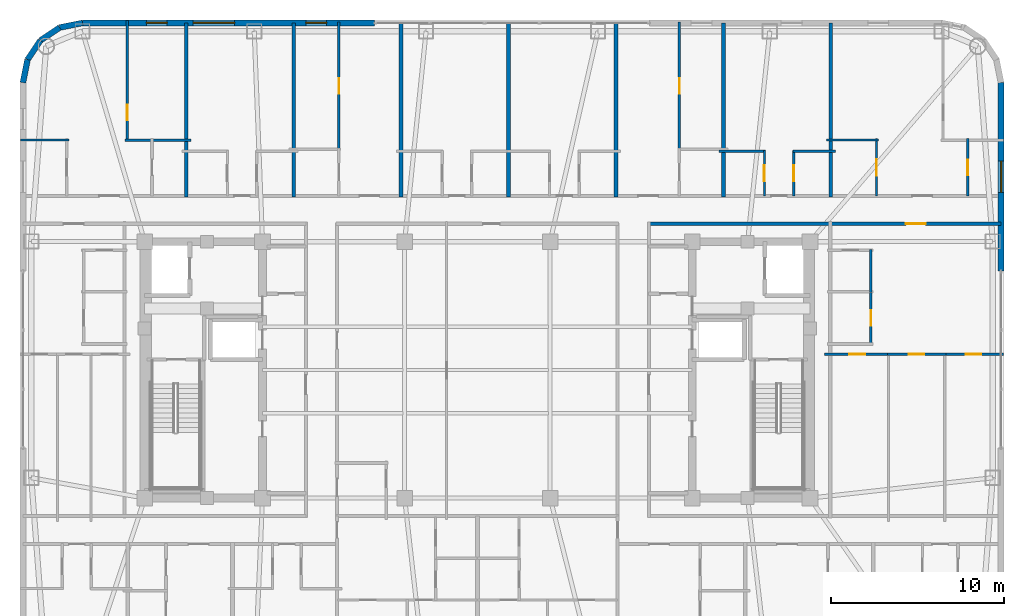
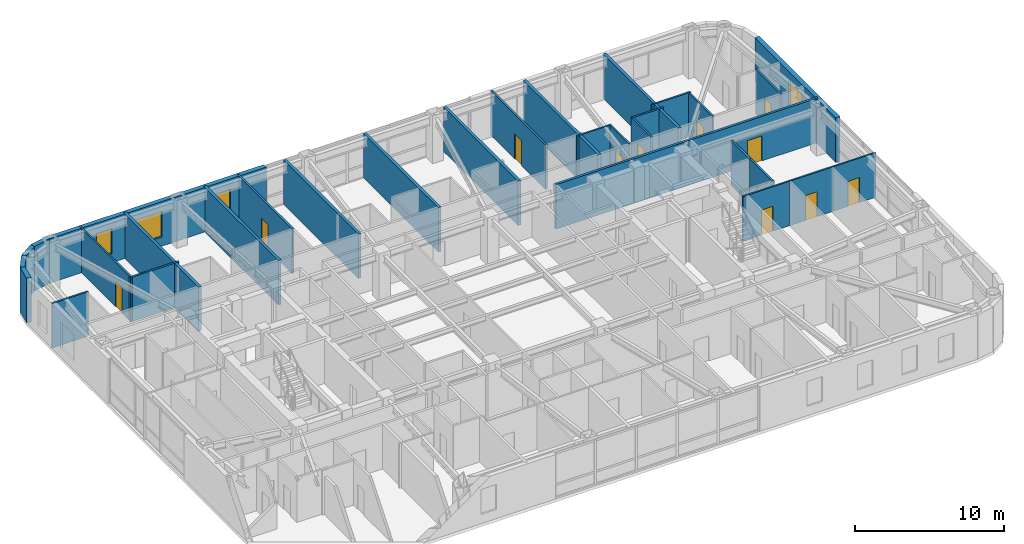
# One storey, part 26 of 29: 31 walls, 12 doors, 4 windows, 16 openings.
"""IFC4 building model written with IfcOpenShell, lengths in metres."""

from ifc_helpers import new_model, si_unit, direction, frame, frame_2d, origin, place, context, subcontext, project, spatial, rectangle, extrude, material, layer, layer_set, type_object, element, fill, save


model = new_model("IFC4")

# Units and contexts
model_context = context("Model", 3, precision=1e-05, world=origin(), true_north=direction((0.0, 1.0)))
body_context = subcontext(model_context, "Body", "Model", "MODEL_VIEW")
ifc_project = project(units=[si_unit("LENGTHUNIT", "METRE"), si_unit("AREAUNIT", "SQUARE_METRE"), si_unit("VOLUMEUNIT", "CUBIC_METRE"), si_unit("PLANEANGLEUNIT", "RADIAN"), si_unit("MASSUNIT", "GRAM", prefix="KILO")], contexts=[model_context])

# Site, building, storey
site_placement = place(None, origin())
site = spatial("IfcSite", under=ifc_project, at=site_placement, CompositionType="ELEMENT")
building_placement = place(site_placement, origin())
building = spatial("IfcBuilding", under=site, at=building_placement, Name="Voryun Gate Residences", CompositionType="ELEMENT")
storey_placement = place(building_placement, frame((0.0, 0.0, 211.89990234375)))
storey = spatial("IfcBuildingStorey", under=building, at=storey_placement, Name="L52", CompositionType="ELEMENT", Elevation=211.89990234375)

# Wall, opening, door
ifc_material_1 = material(Name="Gypsum acoustic fireboard")
ifc_layer_1 = layer(ifc_material_1, 0.179931640625, Name="W_CORR_RATED_180")
ifc_layer_set_1 = layer_set([ifc_layer_1], Name="Gypsum acoustic fireboard")
wall_type_1 = type_object("IfcWallType", Name="W_CORR_RATED_180", PredefinedType="PARTITIONING", material=ifc_layer_set_1)
wall_1_placement = place(storey_placement, frame((9.8798828125, 8.43994140625, 0.0), z_axis=(0.0, 0.0, 1.0), x_axis=(1.0, 0.0, 0.0)))
wall_1 = element("IfcWall", 1, at=wall_1_placement, inside=storey, type_object=wall_type_1, Name="Partition wall WP-L52-CWING-EN", PredefinedType="PARTITIONING", context=body_context, shape_type="SweptSolid", body=[
    extrude(rectangle(XDim=20.35009765625, YDim=0.179931640625, at=frame_2d((10.175048828125, 0.0))), origin(), (0.0, 0.0, 1.0), 3.650146484375),
])
opening_1_placement = place(wall_1_placement, frame((14.850341796875, 0.0, 0.0)))
opening_1 = element("IfcOpeningElement", 2, at=opening_1_placement, cuts=wall_1, Name="Opening D-UNIT-1", PredefinedType="OPENING", context=body_context, shape_type="SweptSolid", body=[
    extrude(rectangle(XDim=1.14990234375, YDim=2.050048828125, at=frame_2d((0.574951171875, 1.02490234375))), frame((0.0, 0.099853515625, 0.0), z_axis=(0.0, -1.0, 0.0), x_axis=(1.0, 0.0, 0.0)), (0.0, 0.0, 1.0), 0.199951171875),
])
ifc_material_2 = material(Name="Armoured timber-clad fire door", Category="wood")
door_type_1 = type_object("IfcDoorType", Name="DR_UNIT_ENTRY_1150", OperationType="NOTDEFINED", PredefinedType="DOOR", material=ifc_material_2)
door_1_placement = place(opening_1_placement, origin())
door_1 = element("IfcDoor", 3, at=door_1_placement, inside=storey, type_object=door_type_1, Name="Door DR-L52-EE1N", OperationType="SINGLE_SWING_LEFT", OverallHeight=2.050048828125, OverallWidth=1.14990234375, PredefinedType="DOOR", context=body_context, shape_type="SweptSolid", body=[
    extrude(rectangle(XDim=1.14990234375, YDim=2.050048828125, at=frame_2d((0.574951171875, 1.02490234375))), frame((0.0, 0.02490234375, 0.0), z_axis=(0.0, -1.0, 0.0), x_axis=(1.0, 0.0, 0.0)), (0.0, 0.0, 1.0), 0.050048828125),
])
fill(opening_1, door_1)

# Walls
ifc_material_3 = material(Name="Charcoal terracotta masonry", Category="masonry")
ifc_layer_2 = layer(ifc_material_3, 0.340087890625, Name="W_EXT_TERRACOTTA_340")
ifc_layer_set_2 = layer_set([ifc_layer_2], Name="Charcoal terracotta masonry")
wall_type_2 = type_object("IfcWallType", Name="W_EXT_TERRACOTTA_340", PredefinedType="ELEMENTEDWALL", material=ifc_layer_set_2)
wall_2_placement = place(storey_placement, frame((-26.22998046875, 16.583251953125, 0.0), z_axis=(0.0, 0.0, 1.0), x_axis=(0.195075878998, 0.980788153188, 0.0)))
element("IfcWall", 4, at=wall_2_placement, inside=storey, type_object=wall_type_2, Name="Exterior wall WEXT-L52-07", PredefinedType="ELEMENTEDWALL", context=body_context, shape_type="SweptSolid", body=[
    extrude(rectangle(XDim=1.354248046875, YDim=0.340087890625, at=frame_2d((0.67724609375, 0.0))), origin(), (0.0, 0.0, 1.0), 3.650146484375),
])
for number, where, z_axis, x_axis, name in (
    (5, (-25.9658203125, 17.911376953125, 0.0), (0.0, 0.0, 1.0), (0.555669034571, 0.831403586725, 0.0), "Exterior wall WEXT-L52-08"),
    (6, (-25.222900390625, 19.02294921875, 0.0), (0.0, 0.0, 1.0), (0.831403586725, 0.555669034571, 0.0), "Exterior wall WEXT-L52-09"),
):
    element("IfcWall", number, at=place(storey_placement, frame(where, z_axis=z_axis, x_axis=x_axis)), inside=storey, type_object=wall_type_2, Name=name, PredefinedType="ELEMENTEDWALL", context=body_context, shape_type="SweptSolid", body=[
        extrude(rectangle(XDim=1.3369140625, YDim=0.340087890625, at=frame_2d((0.66845703125, 0.0))), origin(), (0.0, 0.0, 1.0), 3.650146484375),
    ])
wall_3_placement = place(storey_placement, frame((-24.111328125, 19.765869140625, 0.0), z_axis=(0.0, 0.0, 1.0), x_axis=(0.980788153188, 0.195075878998, 0.0)))
element("IfcWall", 7, at=wall_3_placement, inside=storey, type_object=wall_type_2, Name="Exterior wall WEXT-L52-10", PredefinedType="ELEMENTEDWALL", context=body_context, shape_type="SweptSolid", body=[
    extrude(rectangle(XDim=1.354248046875, YDim=0.340087890625, at=frame_2d((0.67724609375, 0.0))), origin(), (0.0, 0.0, 1.0), 3.650146484375),
])

# Wall, openings, windows
wall_4_placement = place(storey_placement, frame((-22.783203125, 20.030029296875, 0.0), z_axis=(0.0, 0.0, 1.0), x_axis=(1.0, 0.0, 0.0)))
wall_4 = element("IfcWall", 8, at=wall_4_placement, inside=storey, type_object=wall_type_2, Name="Exterior wall WEXT-L52-11A", PredefinedType="ELEMENTEDWALL", context=body_context, shape_type="SweptSolid", body=[
    extrude(rectangle(XDim=16.8525390625, YDim=0.340087890625, at=frame_2d((8.42626953125, 0.0))), origin(), (0.0, 0.0, 1.0), 3.650146484375),
])
opening_2_placement = place(wall_4_placement, frame((6.376220703125, 0.0, 0.75)))
opening_2 = element("IfcOpeningElement", 9, at=opening_2_placement, cuts=wall_4, Name="Opening WN2", PredefinedType="OPENING", context=body_context, shape_type="SweptSolid", body=[
    extrude(rectangle(XDim=2.39990234375, YDim=2.10009765625, at=frame_2d((1.199951171875, 1.050048828125))), frame((0.0, 0.179931640625, 0.0), z_axis=(0.0, -1.0, 0.0), x_axis=(1.0, 0.0, 0.0)), (0.0, 0.0, 1.0), 0.360107421875),
])
opening_3_placement = place(wall_4_placement, frame((3.67822265625, 0.0, 0.75)))
opening_3 = element("IfcOpeningElement", 10, at=opening_3_placement, cuts=wall_4, Name="Opening WN6", PredefinedType="OPENING", context=body_context, shape_type="SweptSolid", body=[
    extrude(rectangle(XDim=1.199951171875, YDim=2.050048828125, at=frame_2d((0.60009765625, 1.02490234375))), frame((0.0, 0.179931640625, 0.0), z_axis=(0.0, -1.0, 0.0), x_axis=(1.0, 0.0, 0.0)), (0.0, 0.0, 1.0), 0.360107421875),
])
opening_4_placement = place(wall_4_placement, frame((12.88818359375, 0.0, 0.75)))
opening_4 = element("IfcOpeningElement", 11, at=opening_4_placement, cuts=wall_4, Name="Opening WN6", PredefinedType="OPENING", context=body_context, shape_type="SweptSolid", body=[
    extrude(rectangle(XDim=1.199951171875, YDim=2.050048828125, at=frame_2d((0.60009765625, 1.02490234375))), frame((0.0, 0.179931640625, 0.0), z_axis=(0.0, -1.0, 0.0), x_axis=(1.0, 0.0, 0.0)), (0.0, 0.0, 1.0), 0.360107421875),
])
ifc_material_4 = material(Name="Laminated low-E glass", Category="glass")
window_type_1 = type_object("IfcWindowType", Name="WN_POD_SLOT_1200", PartitioningType="SINGLE_PANEL", PredefinedType="WINDOW", material=ifc_material_4)
window_1_placement = place(opening_3_placement, origin())
window_1 = element("IfcWindow", 12, at=window_1_placement, inside=storey, type_object=window_type_1, Name="Window WN-L52-DWFIX-02", OverallHeight=2.050048828125, OverallWidth=1.199951171875, PartitioningType="SINGLE_PANEL", PredefinedType="WINDOW", context=body_context, shape_type="SweptSolid", body=[
    extrude(rectangle(XDim=1.199951171875, YDim=2.050048828125, at=frame_2d((0.60009765625, 1.02490234375))), frame((0.0, 0.030029296875, 0.0), z_axis=(0.0, -1.0, 0.0), x_axis=(1.0, 0.0, 0.0)), (0.0, 0.0, 1.0), 0.06005859375),
])
fill(opening_3, window_1)
window_2_placement = place(opening_4_placement, origin())
window_2 = element("IfcWindow", 13, at=window_2_placement, inside=storey, type_object=window_type_1, Name="Window WN-L52-DWFIX-03", OverallHeight=2.050048828125, OverallWidth=1.199951171875, PartitioningType="SINGLE_PANEL", PredefinedType="WINDOW", context=body_context, shape_type="SweptSolid", body=[
    extrude(rectangle(XDim=1.199951171875, YDim=2.050048828125, at=frame_2d((0.60009765625, 1.02490234375))), frame((0.0, 0.030029296875, 0.0), z_axis=(0.0, -1.0, 0.0), x_axis=(1.0, 0.0, 0.0)), (0.0, 0.0, 1.0), 0.06005859375),
])
fill(opening_4, window_2)
ifc_material_5 = material(Name="Laminated low-E glass", Category="glass")
window_type_2 = type_object("IfcWindowType", Name="WN_RES_WIDE_2400", PartitioningType="SINGLE_PANEL", PredefinedType="WINDOW", material=ifc_material_5)
window_3_placement = place(opening_2_placement, origin())
window_3 = element("IfcWindow", 14, at=window_3_placement, inside=storey, type_object=window_type_2, Name="Window WN-WEXT-L52-11A-01", OverallHeight=2.10009765625, OverallWidth=2.39990234375, PartitioningType="SINGLE_PANEL", PredefinedType="WINDOW", context=body_context, shape_type="SweptSolid", body=[
    extrude(rectangle(XDim=2.39990234375, YDim=2.10009765625, at=frame_2d((1.199951171875, 1.050048828125))), frame((0.0, 0.030029296875, 0.0), z_axis=(0.0, -1.0, 0.0), x_axis=(1.0, 0.0, 0.0)), (0.0, 0.0, 1.0), 0.06005859375),
])
fill(opening_2, window_3)

# Wall, opening, window
wall_5_placement = place(storey_placement, frame((30.22998046875, 16.583251953125, 0.0), z_axis=(0.0, 0.0, 1.0), x_axis=(0.0, -1.0, 0.0)))
wall_5 = element("IfcWall", 15, at=wall_5_placement, inside=storey, type_object=wall_type_2, Name="Exterior wall WEXT-L52-16A", PredefinedType="ELEMENTEDWALL", context=body_context, shape_type="SweptSolid", body=[
    extrude(rectangle(XDim=10.86865234375, YDim=0.340087890625, at=frame_2d((5.434326171875, 0.0))), origin(), (0.0, 0.0, 1.0), 3.650146484375),
])
opening_5_placement = place(wall_5_placement, frame((4.5341796875, 0.0, 0.75)))
opening_5 = element("IfcOpeningElement", 16, at=opening_5_placement, cuts=wall_5, Name="Opening WN1", PredefinedType="OPENING", context=body_context, shape_type="SweptSolid", body=[
    extrude(rectangle(XDim=1.800048828125, YDim=2.10009765625, at=frame_2d((0.89990234375, 1.050048828125))), frame((0.0, 0.179931640625, 0.0), z_axis=(0.0, -1.0, 0.0), x_axis=(1.0, 0.0, 0.0)), (0.0, 0.0, 1.0), 0.360107421875),
])
ifc_material_6 = material(Name="Laminated low-E glass", Category="glass")
window_type_3 = type_object("IfcWindowType", Name="WN_RES_PUNCH_1800", PartitioningType="SINGLE_PANEL", PredefinedType="WINDOW", material=ifc_material_6)
window_4_placement = place(opening_5_placement, origin())
window_4 = element("IfcWindow", 17, at=window_4_placement, inside=storey, type_object=window_type_3, Name="Window WN-WEXT-L52-16A-01", OverallHeight=2.10009765625, OverallWidth=1.800048828125, PartitioningType="SINGLE_PANEL", PredefinedType="WINDOW", context=body_context, shape_type="SweptSolid", body=[
    extrude(rectangle(XDim=1.800048828125, YDim=2.10009765625, at=frame_2d((0.89990234375, 1.050048828125))), frame((0.0, 0.030029296875, 0.0), z_axis=(0.0, -1.0, 0.0), x_axis=(1.0, 0.0, 0.0)), (0.0, 0.0, 1.0), 0.06005859375),
])
fill(opening_5, window_4)

# Walls
ifc_material_7 = material(Name="Concrete C40/50", Category="concrete")
ifc_layer_3 = layer(ifc_material_7, 0.219970703125, Name="W_PARTY_ACOUSTIC_220")
ifc_layer_set_3 = layer_set([ifc_layer_3], Name="Concrete C40/50")
wall_type_3 = type_object("IfcWallType", Name="W_PARTY_ACOUSTIC_220", PredefinedType="PARTITIONING", material=ifc_layer_set_3)
for number, where, z_axis, x_axis, name in (
    (18, (-16.800048828125, 9.969970703125, 0.0), (0.0, 0.0, 1.0), (0.0, 1.0, 0.0), "Partition wall WP-L52-NPTY-1"),
    (19, (-10.60009765625, 9.969970703125, 0.0), (0.0, 0.0, 1.0), (0.0, 1.0, 0.0), "Partition wall WP-L52-NPTY-2"),
    (20, (-4.39990234375, 9.969970703125, 0.0), (0.0, 0.0, 1.0), (0.0, 1.0, 0.0), "Partition wall WP-L52-NPTY-3"),
    (21, (1.800048828125, 9.969970703125, 0.0), (0.0, 0.0, 1.0), (0.0, 1.0, 0.0), "Partition wall WP-L52-NPTY-4"),
    (22, (8.0, 9.969970703125, 0.0), (0.0, 0.0, 1.0), (0.0, 1.0, 0.0), "Partition wall WP-L52-NPTY-5"),
    (23, (14.199951171875, 9.969970703125, 0.0), (0.0, 0.0, 1.0), (0.0, 1.0, 0.0), "Partition wall WP-L52-NPTY-6"),
    (24, (20.39990234375, 9.969970703125, 0.0), (0.0, 0.0, 1.0), (0.0, 1.0, 0.0), "Partition wall WP-L52-NPTY-7"),
):
    element("IfcWall", number, at=place(storey_placement, frame(where, z_axis=z_axis, x_axis=x_axis)), inside=storey, type_object=wall_type_3, Name=name, PredefinedType="PARTITIONING", context=body_context, shape_type="SweptSolid", body=[
        extrude(rectangle(XDim=10.06005859375, YDim=0.219970703125, at=frame_2d((5.030029296875, 0.0))), origin(), (0.0, 0.0, 1.0), 3.650146484375),
    ])

# Wall, opening, door
ifc_material_8 = material(Name="Gypsum acoustic partition")
ifc_layer_4 = layer(ifc_material_8, 0.125, Name="W_UNIT_PART_125")
ifc_layer_set_4 = layer_set([ifc_layer_4], Name="Gypsum acoustic partition")
wall_type_4 = type_object("IfcWallType", Name="W_UNIT_PART_125", PredefinedType="PARTITIONING", material=ifc_layer_set_4)
wall_6_placement = place(storey_placement, frame((-20.2099609375, 13.18994140625, 0.0), z_axis=(0.0, 0.0, 1.0), x_axis=(0.0, 1.0, 0.0)))
wall_6 = element("IfcWall", 25, at=wall_6_placement, inside=storey, type_object=wall_type_4, Name="Partition wall WP-L52-N1-OVR", PredefinedType="PARTITIONING", context=body_context, shape_type="SweptSolid", body=[
    extrude(rectangle(XDim=6.989990234375, YDim=0.125, at=frame_2d((3.4951171875, 0.0))), origin(), (0.0, 0.0, 1.0), 3.650146484375),
])
opening_6_placement = place(wall_6_placement, frame((1.2275390625, 0.0, 0.0)))
opening_6 = element("IfcOpeningElement", 26, at=opening_6_placement, cuts=wall_6, Name="Opening D-INT-2", PredefinedType="OPENING", context=body_context, shape_type="SweptSolid", body=[
    extrude(rectangle(XDim=0.89990234375, YDim=2.050048828125, at=frame_2d((0.449951171875, 1.02490234375))), frame((0.0, 0.072509765625, 0.0), z_axis=(0.0, -1.0, 0.0), x_axis=(1.0, 0.0, 0.0)), (0.0, 0.0, 1.0), 0.14501953125),
])
ifc_material_9 = material(Name="Architectural oak veneer")
door_type_2 = type_object("IfcDoorType", Name="DR_INT_BATH_900", OperationType="NOTDEFINED", PredefinedType="DOOR", material=ifc_material_9)
door_2_placement = place(opening_6_placement, origin())
door_2 = element("IfcDoor", 27, at=door_2_placement, inside=storey, type_object=door_type_2, Name="Door DR-L52-N1-DMB", OperationType="SINGLE_SWING_RIGHT", OverallHeight=2.050048828125, OverallWidth=0.89990234375, PredefinedType="DOOR", context=body_context, shape_type="SweptSolid", body=[
    extrude(rectangle(XDim=0.89990234375, YDim=2.050048828125, at=frame_2d((0.449951171875, 1.02490234375))), frame((0.0, 0.02490234375, 0.0), z_axis=(0.0, -1.0, 0.0), x_axis=(1.0, 0.0, 0.0)), (0.0, 0.0, 1.0), 0.050048828125),
])
fill(opening_6, door_2)

# Wall
wall_7_placement = place(storey_placement, frame((-26.3798828125, 13.27001953125, 0.0), z_axis=(0.0, 0.0, 1.0), x_axis=(1.0, 0.0, 0.0)))
element("IfcWall", 28, at=wall_7_placement, inside=storey, type_object=wall_type_4, Name="Partition wall WP-L52-N1-HZK", PredefinedType="PARTITIONING", context=body_context, shape_type="SweptSolid", body=[
    extrude(rectangle(XDim=2.794921875, YDim=0.125, at=frame_2d((1.3974609375, 0.0))), origin(), (0.0, 0.0, 1.0), 3.650146484375),
])

# Wall, opening, door
wall_8_placement = place(storey_placement, frame((16.570068359375, 10.030029296875, 0.0), z_axis=(0.0, 0.0, 1.0), x_axis=(0.0, 1.0, 0.0)))
wall_8 = element("IfcWall", 29, at=wall_8_placement, inside=storey, type_object=wall_type_4, Name="Partition wall WP-L52-N7-CVK", PredefinedType="PARTITIONING", context=body_context, shape_type="SweptSolid", body=[
    extrude(rectangle(XDim=2.64990234375, YDim=0.125, at=frame_2d((1.324951171875, 0.0))), origin(), (0.0, 0.0, 1.0), 3.650146484375),
])
opening_7_placement = place(wall_8_placement, frame((0.875, 0.0, 0.0)))
opening_7 = element("IfcOpeningElement", 30, at=opening_7_placement, cuts=wall_8, Name="Opening D-INT-2", PredefinedType="OPENING", context=body_context, shape_type="SweptSolid", body=[
    extrude(rectangle(XDim=0.89990234375, YDim=2.050048828125, at=frame_2d((0.449951171875, 1.02490234375))), frame((0.0, 0.072509765625, 0.0), z_axis=(0.0, -1.0, 0.0), x_axis=(1.0, 0.0, 0.0)), (0.0, 0.0, 1.0), 0.14501953125),
])
door_3_placement = place(opening_7_placement, origin())
door_3 = element("IfcDoor", 31, at=door_3_placement, inside=storey, type_object=door_type_2, Name="Door DR-L52-N7-DK", OperationType="SINGLE_SWING_LEFT", OverallHeight=2.050048828125, OverallWidth=0.89990234375, PredefinedType="DOOR", context=body_context, shape_type="SweptSolid", body=[
    extrude(rectangle(XDim=0.89990234375, YDim=2.050048828125, at=frame_2d((0.449951171875, 1.02490234375))), frame((0.0, 0.02490234375, 0.0), z_axis=(0.0, -1.0, 0.0), x_axis=(1.0, 0.0, 0.0)), (0.0, 0.0, 1.0), 0.050048828125),
])
fill(opening_7, door_3)

# Wall
wall_9_placement = place(storey_placement, frame((13.93994140625, 12.6201171875, 0.0), z_axis=(0.0, 0.0, 1.0), x_axis=(1.0, 0.0, 0.0)))
element("IfcWall", 32, at=wall_9_placement, inside=storey, type_object=wall_type_4, Name="Partition wall WP-L52-N7-CHK", PredefinedType="PARTITIONING", context=body_context, shape_type="SweptSolid", body=[
    extrude(rectangle(XDim=2.68994140625, YDim=0.125, at=frame_2d((1.344970703125, 0.0))), origin(), (0.0, 0.0, 1.0), 3.650146484375),
])

# Wall, opening, door
wall_10_placement = place(storey_placement, frame((23.041015625, 10.030029296875, 0.0), z_axis=(0.0, 0.0, 1.0), x_axis=(0.0, 1.0, 0.0)))
wall_10 = element("IfcWall", 33, at=wall_10_placement, inside=storey, type_object=wall_type_4, Name="Partition wall WP-L52-N8-IVK", PredefinedType="PARTITIONING", context=body_context, shape_type="SweptSolid", body=[
    extrude(rectangle(XDim=3.320068359375, YDim=0.125, at=frame_2d((1.66015625, 0.0))), origin(), (0.0, 0.0, 1.0), 3.650146484375),
])
opening_8_placement = place(wall_10_placement, frame((1.18505859375, 0.0, 0.0)))
opening_8 = element("IfcOpeningElement", 34, at=opening_8_placement, cuts=wall_10, Name="Opening D-INT-1", PredefinedType="OPENING", context=body_context, shape_type="SweptSolid", body=[
    extrude(rectangle(XDim=0.949951171875, YDim=2.050048828125, at=frame_2d((0.47509765625, 1.02490234375))), frame((0.0, 0.072509765625, 0.0), z_axis=(0.0, -1.0, 0.0), x_axis=(1.0, 0.0, 0.0)), (0.0, 0.0, 1.0), 0.14501953125),
])
ifc_material_10 = material(Name="Architectural oak veneer")
door_type_3 = type_object("IfcDoorType", Name="DR_INT_ROOM_950", OperationType="NOTDEFINED", PredefinedType="DOOR", material=ifc_material_10)
door_4_placement = place(opening_8_placement, origin())
door_4 = element("IfcDoor", 35, at=door_4_placement, inside=storey, type_object=door_type_3, Name="Door DR-L52-N8-DK", OperationType="SINGLE_SWING_LEFT", OverallHeight=2.050048828125, OverallWidth=0.949951171875, PredefinedType="DOOR", context=body_context, shape_type="SweptSolid", body=[
    extrude(rectangle(XDim=0.949951171875, YDim=2.050048828125, at=frame_2d((0.47509765625, 1.02490234375))), frame((0.0, 0.02490234375, 0.0), z_axis=(0.0, -1.0, 0.0), x_axis=(1.0, 0.0, 0.0)), (0.0, 0.0, 1.0), 0.050048828125),
])
fill(opening_8, door_4)

# Wall
wall_11_placement = place(storey_placement, frame((20.139892578125, 13.27001953125, 0.0), z_axis=(0.0, 0.0, 1.0), x_axis=(1.0, 0.0, 0.0)))
element("IfcWall", 36, at=wall_11_placement, inside=storey, type_object=wall_type_4, Name="Partition wall WP-L52-N8-HZK", PredefinedType="PARTITIONING", context=body_context, shape_type="SweptSolid", body=[
    extrude(rectangle(XDim=3.02099609375, YDim=0.125, at=frame_2d((1.510498046875, 0.0))), origin(), (0.0, 0.0, 1.0), 3.650146484375),
])

# Wall, opening, door
wall_12_placement = place(storey_placement, frame((20.050048828125, 0.909912109375, 0.0), z_axis=(0.0, 0.0, 1.0), x_axis=(1.0, 0.0, 0.0)))
wall_12 = element("IfcWall", 37, at=wall_12_placement, inside=storey, type_object=wall_type_4, Name="Partition wall WP-L52-E1-HZMB1", PredefinedType="PARTITIONING", context=body_context, shape_type="SweptSolid", body=[
    extrude(rectangle(XDim=3.737548828125, YDim=0.125, at=frame_2d((1.86865234375, 0.0))), origin(), (0.0, 0.0, 1.0), 3.650146484375),
])
opening_9_placement = place(wall_12_placement, frame((1.427490234375, 0.0, 0.0)))
opening_9 = element("IfcOpeningElement", 38, at=opening_9_placement, cuts=wall_12, Name="Opening D-INT-2", PredefinedType="OPENING", context=body_context, shape_type="SweptSolid", body=[
    extrude(rectangle(XDim=0.89990234375, YDim=2.050048828125, at=frame_2d((0.449951171875, 1.02490234375))), frame((0.0, 0.072509765625, 0.0), z_axis=(0.0, -1.0, 0.0), x_axis=(1.0, 0.0, 0.0)), (0.0, 0.0, 1.0), 0.14501953125),
])
door_5_placement = place(opening_9_placement, origin())
door_5 = element("IfcDoor", 39, at=door_5_placement, inside=storey, type_object=door_type_2, Name="Door DR-L52-E1-DMB", OperationType="SINGLE_SWING_LEFT", OverallHeight=2.050048828125, OverallWidth=0.89990234375, PredefinedType="DOOR", context=body_context, shape_type="SweptSolid", body=[
    extrude(rectangle(XDim=0.89990234375, YDim=2.050048828125, at=frame_2d((0.449951171875, 1.02490234375))), frame((0.0, 0.02490234375, 0.0), z_axis=(0.0, -1.0, 0.0), x_axis=(1.0, 0.0, 0.0)), (0.0, 0.0, 1.0), 0.050048828125),
])
fill(opening_9, door_5)

wall_13_placement = place(storey_placement, frame((23.66259765625, 0.909912109375, 0.0), z_axis=(0.0, 0.0, 1.0), x_axis=(1.0, 0.0, 0.0)))
wall_13 = element("IfcWall", 40, at=wall_13_placement, inside=storey, type_object=wall_type_4, Name="Partition wall WP-L52-E1-HZMB2", PredefinedType="PARTITIONING", context=body_context, shape_type="SweptSolid", body=[
    extrude(rectangle(XDim=3.380859375, YDim=0.125, at=frame_2d((1.6904296875, 0.0))), origin(), (0.0, 0.0, 1.0), 3.650146484375),
])
opening_10_placement = place(wall_13_placement, frame((1.240478515625, 0.0, 0.0)))
opening_10 = element("IfcOpeningElement", 41, at=opening_10_placement, cuts=wall_13, Name="Opening D-INT-2", PredefinedType="OPENING", context=body_context, shape_type="SweptSolid", body=[
    extrude(rectangle(XDim=0.89990234375, YDim=2.050048828125, at=frame_2d((0.449951171875, 1.02490234375))), frame((0.0, 0.072509765625, 0.0), z_axis=(0.0, -1.0, 0.0), x_axis=(1.0, 0.0, 0.0)), (0.0, 0.0, 1.0), 0.14501953125),
])
door_6_placement = place(opening_10_placement, origin())
door_6 = element("IfcDoor", 42, at=door_6_placement, inside=storey, type_object=door_type_2, Name="Door DR-L52-E1-DBD2", OperationType="SINGLE_SWING_RIGHT", OverallHeight=2.050048828125, OverallWidth=0.89990234375, PredefinedType="DOOR", context=body_context, shape_type="SweptSolid", body=[
    extrude(rectangle(XDim=0.89990234375, YDim=2.050048828125, at=frame_2d((0.449951171875, 1.02490234375))), frame((0.0, 0.02490234375, 0.0), z_axis=(0.0, -1.0, 0.0), x_axis=(1.0, 0.0, 0.0)), (0.0, 0.0, 1.0), 0.050048828125),
])
fill(opening_10, door_6)

wall_14_placement = place(storey_placement, frame((26.91845703125, 0.909912109375, 0.0), z_axis=(0.0, 0.0, 1.0), x_axis=(1.0, 0.0, 0.0)))
wall_14 = element("IfcWall", 43, at=wall_14_placement, inside=storey, type_object=wall_type_4, Name="Partition wall WP-L52-E1-HZMB3", PredefinedType="PARTITIONING", context=body_context, shape_type="SweptSolid", body=[
    extrude(rectangle(XDim=3.46142578125, YDim=0.125, at=frame_2d((1.730712890625, 0.0))), origin(), (0.0, 0.0, 1.0), 3.650146484375),
])
opening_11_placement = place(wall_14_placement, frame((1.27197265625, 0.0, 0.0)))
opening_11 = element("IfcOpeningElement", 44, at=opening_11_placement, cuts=wall_14, Name="Opening D-INT-2", PredefinedType="OPENING", context=body_context, shape_type="SweptSolid", body=[
    extrude(rectangle(XDim=0.89990234375, YDim=2.050048828125, at=frame_2d((0.449951171875, 1.02490234375))), frame((0.0, 0.072509765625, 0.0), z_axis=(0.0, -1.0, 0.0), x_axis=(1.0, 0.0, 0.0)), (0.0, 0.0, 1.0), 0.14501953125),
])
door_7_placement = place(opening_11_placement, origin())
door_7 = element("IfcDoor", 45, at=door_7_placement, inside=storey, type_object=door_type_2, Name="Door DR-L52-E1-DBD3", OperationType="SINGLE_SWING_LEFT", OverallHeight=2.050048828125, OverallWidth=0.89990234375, PredefinedType="DOOR", context=body_context, shape_type="SweptSolid", body=[
    extrude(rectangle(XDim=0.89990234375, YDim=2.050048828125, at=frame_2d((0.449951171875, 1.02490234375))), frame((0.0, 0.02490234375, 0.0), z_axis=(0.0, -1.0, 0.0), x_axis=(1.0, 0.0, 0.0)), (0.0, 0.0, 1.0), 0.050048828125),
])
fill(opening_11, door_7)

# Wall
ifc_material_11 = material(Name="Gypsum moisture-resistant partition")
ifc_layer_5 = layer(ifc_material_11, 0.14990234375, Name="W_WET_PLUMB_150")
ifc_layer_set_5 = layer_set([ifc_layer_5], Name="Gypsum moisture-resistant partition")
wall_type_5 = type_object("IfcWallType", Name="W_WET_PLUMB_150", PredefinedType="PLUMBINGWALL", material=ifc_layer_set_5)
wall_15_placement = place(storey_placement, frame((-20.330078125, 13.27001953125, 0.0), z_axis=(0.0, 0.0, 1.0), x_axis=(1.0, 0.0, 0.0)))
element("IfcWall", 46, at=wall_15_placement, inside=storey, type_object=wall_type_5, Name="Partition wall WP-L52-N1-HZB", PredefinedType="PLUMBINGWALL", context=body_context, shape_type="SweptSolid", body=[
    extrude(rectangle(XDim=3.7900390625, YDim=0.14990234375, at=frame_2d((1.89501953125, 0.0))), origin(), (0.0, 0.0, 1.0), 3.650146484375),
])

# Wall, opening, door
wall_16_placement = place(storey_placement, frame((-7.989990234375, 12.7099609375, 0.0), z_axis=(0.0, 0.0, 1.0), x_axis=(0.0, 1.0, 0.0)))
wall_16 = element("IfcWall", 47, at=wall_16_placement, inside=storey, type_object=wall_type_5, Name="Partition wall WP-L52-N3-SVT2", PredefinedType="PLUMBINGWALL", context=body_context, shape_type="SweptSolid", body=[
    extrude(rectangle(XDim=7.366943359375, YDim=0.14990234375, at=frame_2d((3.68359375, 0.0))), origin(), (0.0, 0.0, 1.0), 3.650146484375),
])
opening_12_placement = place(wall_16_placement, frame((3.2333984375, 0.0, 0.0)))
opening_12 = element("IfcOpeningElement", 48, at=opening_12_placement, cuts=wall_16, Name="Opening D-INT-2", PredefinedType="OPENING", context=body_context, shape_type="SweptSolid", body=[
    extrude(rectangle(XDim=0.89990234375, YDim=2.050048828125, at=frame_2d((0.449951171875, 1.02490234375))), frame((0.0, 0.0849609375, 0.0), z_axis=(0.0, -1.0, 0.0), x_axis=(1.0, 0.0, 0.0)), (0.0, 0.0, 1.0), 0.169921875),
])
door_8_placement = place(opening_12_placement, origin())
door_8 = element("IfcDoor", 49, at=door_8_placement, inside=storey, type_object=door_type_2, Name="Door DR-L52-N3-DK", OperationType="SINGLE_SWING_RIGHT", OverallHeight=2.050048828125, OverallWidth=0.89990234375, PredefinedType="DOOR", context=body_context, shape_type="SweptSolid", body=[
    extrude(rectangle(XDim=0.89990234375, YDim=2.050048828125, at=frame_2d((0.449951171875, 1.02490234375))), frame((0.0, 0.02490234375, 0.0), z_axis=(0.0, -1.0, 0.0), x_axis=(1.0, 0.0, 0.0)), (0.0, 0.0, 1.0), 0.050048828125),
])
fill(opening_12, door_8)

wall_17_placement = place(storey_placement, frame((11.6650390625, 12.7099609375, 0.0), z_axis=(0.0, 0.0, 1.0), x_axis=(0.0, 1.0, 0.0)))
wall_17 = element("IfcWall", 50, at=wall_17_placement, inside=storey, type_object=wall_type_5, Name="Partition wall WP-L52-N6-SVT2", PredefinedType="PLUMBINGWALL", context=body_context, shape_type="SweptSolid", body=[
    extrude(rectangle(XDim=7.366943359375, YDim=0.14990234375, at=frame_2d((3.68359375, 0.0))), origin(), (0.0, 0.0, 1.0), 3.650146484375),
])
opening_13_placement = place(wall_17_placement, frame((3.2333984375, 0.0, 0.0)))
opening_13 = element("IfcOpeningElement", 51, at=opening_13_placement, cuts=wall_17, Name="Opening D-INT-2", PredefinedType="OPENING", context=body_context, shape_type="SweptSolid", body=[
    extrude(rectangle(XDim=0.89990234375, YDim=2.050048828125, at=frame_2d((0.449951171875, 1.02490234375))), frame((0.0, 0.0849609375, 0.0), z_axis=(0.0, -1.0, 0.0), x_axis=(1.0, 0.0, 0.0)), (0.0, 0.0, 1.0), 0.169921875),
])
door_9_placement = place(opening_13_placement, origin())
door_9 = element("IfcDoor", 52, at=door_9_placement, inside=storey, type_object=door_type_2, Name="Door DR-L52-N6-DK", OperationType="SINGLE_SWING_RIGHT", OverallHeight=2.050048828125, OverallWidth=0.89990234375, PredefinedType="DOOR", context=body_context, shape_type="SweptSolid", body=[
    extrude(rectangle(XDim=0.89990234375, YDim=2.050048828125, at=frame_2d((0.449951171875, 1.02490234375))), frame((0.0, 0.02490234375, 0.0), z_axis=(0.0, -1.0, 0.0), x_axis=(1.0, 0.0, 0.0)), (0.0, 0.0, 1.0), 0.050048828125),
])
fill(opening_13, door_9)

wall_18_placement = place(storey_placement, frame((18.27294921875, 10.030029296875, 0.0), z_axis=(0.0, 0.0, 1.0), x_axis=(0.0, 1.0, 0.0)))
wall_18 = element("IfcWall", 53, at=wall_18_placement, inside=storey, type_object=wall_type_5, Name="Partition wall WP-L52-N7-CVB", PredefinedType="PLUMBINGWALL", context=body_context, shape_type="SweptSolid", body=[
    extrude(rectangle(XDim=2.64990234375, YDim=0.14990234375, at=frame_2d((1.324951171875, 0.0))), origin(), (0.0, 0.0, 1.0), 3.650146484375),
])
opening_14_placement = place(wall_18_placement, frame((0.875, 0.0, 0.0)))
opening_14 = element("IfcOpeningElement", 54, at=opening_14_placement, cuts=wall_18, Name="Opening D-INT-2", PredefinedType="OPENING", context=body_context, shape_type="SweptSolid", body=[
    extrude(rectangle(XDim=0.89990234375, YDim=2.050048828125, at=frame_2d((0.449951171875, 1.02490234375))), frame((0.0, 0.0849609375, 0.0), z_axis=(0.0, -1.0, 0.0), x_axis=(1.0, 0.0, 0.0)), (0.0, 0.0, 1.0), 0.169921875),
])
door_10_placement = place(opening_14_placement, origin())
door_10 = element("IfcDoor", 55, at=door_10_placement, inside=storey, type_object=door_type_2, Name="Door DR-L52-N7-DB", OperationType="SINGLE_SWING_RIGHT", OverallHeight=2.050048828125, OverallWidth=0.89990234375, PredefinedType="DOOR", context=body_context, shape_type="SweptSolid", body=[
    extrude(rectangle(XDim=0.89990234375, YDim=2.050048828125, at=frame_2d((0.449951171875, 1.02490234375))), frame((0.0, 0.02490234375, 0.0), z_axis=(0.0, -1.0, 0.0), x_axis=(1.0, 0.0, 0.0)), (0.0, 0.0, 1.0), 0.050048828125),
])
fill(opening_14, door_10)

# Wall
wall_19_placement = place(storey_placement, frame((18.212890625, 12.6201171875, 0.0), z_axis=(0.0, 0.0, 1.0), x_axis=(1.0, 0.0, 0.0)))
element("IfcWall", 56, at=wall_19_placement, inside=storey, type_object=wall_type_5, Name="Partition wall WP-L52-N7-CHB", PredefinedType="PLUMBINGWALL", context=body_context, shape_type="SweptSolid", body=[
    extrude(rectangle(XDim=2.447021484375, YDim=0.14990234375, at=frame_2d((1.2236328125, 0.0))), origin(), (0.0, 0.0, 1.0), 3.650146484375),
])

# Wall, opening, door
wall_20_placement = place(storey_placement, frame((28.31689453125, 10.030029296875, 0.0), z_axis=(0.0, 0.0, 1.0), x_axis=(0.0, 1.0, 0.0)))
wall_20 = element("IfcWall", 57, at=wall_20_placement, inside=storey, type_object=wall_type_5, Name="Partition wall WP-L52-N8-IVB", PredefinedType="PLUMBINGWALL", context=body_context, shape_type="SweptSolid", body=[
    extrude(rectangle(XDim=3.320068359375, YDim=0.14990234375, at=frame_2d((1.66015625, 0.0))), origin(), (0.0, 0.0, 1.0), 3.650146484375),
])
opening_15_placement = place(wall_20_placement, frame((1.2099609375, 0.0, 0.0)))
opening_15 = element("IfcOpeningElement", 58, at=opening_15_placement, cuts=wall_20, Name="Opening D-INT-2", PredefinedType="OPENING", context=body_context, shape_type="SweptSolid", body=[
    extrude(rectangle(XDim=0.89990234375, YDim=2.050048828125, at=frame_2d((0.449951171875, 1.02490234375))), frame((0.0, 0.0849609375, 0.0), z_axis=(0.0, -1.0, 0.0), x_axis=(1.0, 0.0, 0.0)), (0.0, 0.0, 1.0), 0.169921875),
])
door_11_placement = place(opening_15_placement, origin())
door_11 = element("IfcDoor", 59, at=door_11_placement, inside=storey, type_object=door_type_2, Name="Door DR-L52-N8-DB", OperationType="SINGLE_SWING_RIGHT", OverallHeight=2.050048828125, OverallWidth=0.89990234375, PredefinedType="DOOR", context=body_context, shape_type="SweptSolid", body=[
    extrude(rectangle(XDim=0.89990234375, YDim=2.050048828125, at=frame_2d((0.449951171875, 1.02490234375))), frame((0.0, 0.02490234375, 0.0), z_axis=(0.0, -1.0, 0.0), x_axis=(1.0, 0.0, 0.0)), (0.0, 0.0, 1.0), 0.050048828125),
])
fill(opening_15, door_11)

wall_21_placement = place(storey_placement, frame((22.719970703125, 1.43994140625, 0.0), z_axis=(0.0, 0.0, 1.0), x_axis=(0.0, 1.0, 0.0)))
wall_21 = element("IfcWall", 60, at=wall_21_placement, inside=storey, type_object=wall_type_5, Name="Partition wall WP-L52-E1-VTSK1", PredefinedType="PLUMBINGWALL", context=body_context, shape_type="SweptSolid", body=[
    extrude(rectangle(XDim=3.1201171875, YDim=0.14990234375, at=frame_2d((1.56005859375, 0.0))), origin(), (0.0, 0.0, 1.0), 3.650146484375),
])
opening_16_placement = place(wall_21_placement, frame((1.110107421875, 0.0, 0.0)))
opening_16 = element("IfcOpeningElement", 61, at=opening_16_placement, cuts=wall_21, Name="Opening D-INT-2", PredefinedType="OPENING", context=body_context, shape_type="SweptSolid", body=[
    extrude(rectangle(XDim=0.89990234375, YDim=2.050048828125, at=frame_2d((0.449951171875, 1.02490234375))), frame((0.0, 0.0849609375, 0.0), z_axis=(0.0, -1.0, 0.0), x_axis=(1.0, 0.0, 0.0)), (0.0, 0.0, 1.0), 0.169921875),
])
door_12_placement = place(opening_16_placement, origin())
door_12 = element("IfcDoor", 62, at=door_12_placement, inside=storey, type_object=door_type_2, Name="Door DR-L52-E1-DB", OperationType="SINGLE_SWING_RIGHT", OverallHeight=2.050048828125, OverallWidth=0.89990234375, PredefinedType="DOOR", context=body_context, shape_type="SweptSolid", body=[
    extrude(rectangle(XDim=0.89990234375, YDim=2.050048828125, at=frame_2d((0.449951171875, 1.02490234375))), frame((0.0, 0.02490234375, 0.0), z_axis=(0.0, -1.0, 0.0), x_axis=(1.0, 0.0, 0.0)), (0.0, 0.0, 1.0), 0.050048828125),
])
fill(opening_16, door_12)

# Wall
wall_22_placement = place(storey_placement, frame((22.719970703125, 4.47998046875, 0.0), z_axis=(0.0, 0.0, 1.0), x_axis=(0.0, 1.0, 0.0)))
element("IfcWall", 63, at=wall_22_placement, inside=storey, type_object=wall_type_5, Name="Partition wall WP-L52-E1-VTSK2", PredefinedType="PLUMBINGWALL", context=body_context, shape_type="SweptSolid", body=[
    extrude(rectangle(XDim=2.47998046875, YDim=0.14990234375, at=frame_2d((1.239990234375, 0.0))), origin(), (0.0, 0.0, 1.0), 3.650146484375),
])

save(model, "model.ifc")
